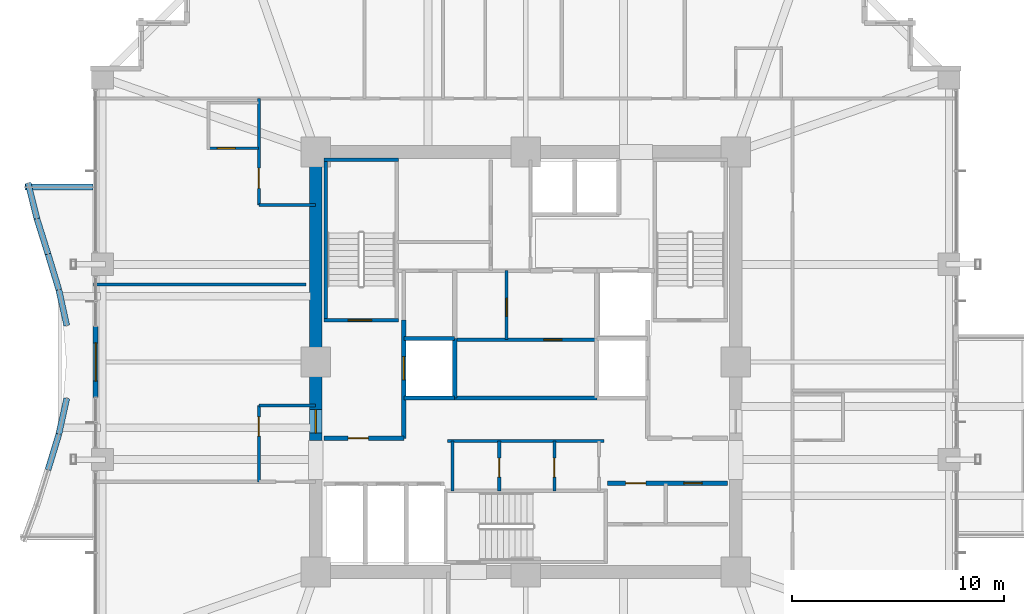
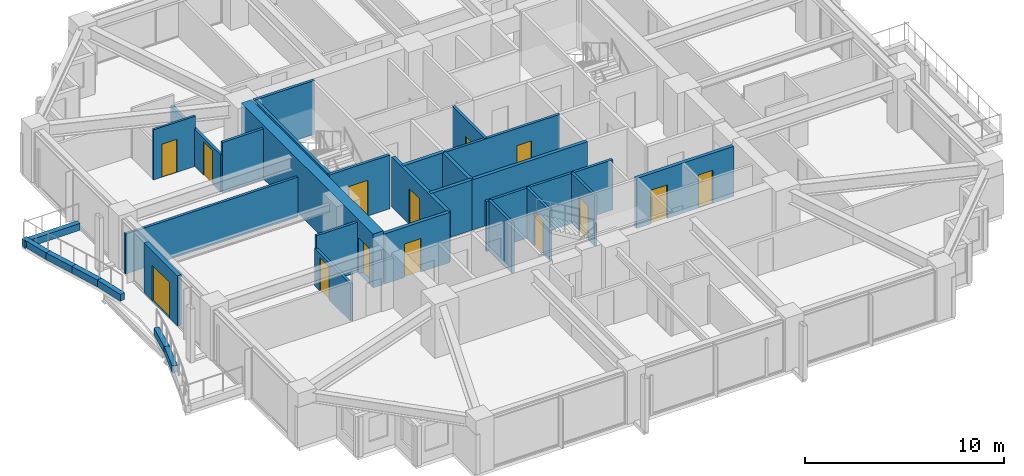
# One storey, part 32 of 37: 31 walls, 14 doors, 14 openings.
"""IFC4 building model written with IfcOpenShell, lengths in metres."""

from ifc_helpers import new_model, si_unit, direction, frame, frame_2d, origin, place, context, subcontext, project, spatial, rectangle, extrude, material, layer, layer_set, type_object, element, fill, save


model = new_model("IFC4")

# Units and contexts
model_context = context("Model", 3, precision=1e-05, world=origin(), true_north=direction((0.0, 1.0)))
body_context = subcontext(model_context, "Body", "Model", "MODEL_VIEW")
ifc_project = project(units=[si_unit("LENGTHUNIT", "METRE"), si_unit("AREAUNIT", "SQUARE_METRE"), si_unit("VOLUMEUNIT", "CUBIC_METRE"), si_unit("PLANEANGLEUNIT", "RADIAN"), si_unit("MASSUNIT", "GRAM", prefix="KILO")], contexts=[model_context])

# Site, building, storey
site_placement = place(None, origin())
site = spatial("IfcSite", under=ifc_project, at=site_placement, CompositionType="ELEMENT")
building_placement = place(site_placement, origin())
building = spatial("IfcBuilding", under=site, at=building_placement, Name="Kolvaren Belvedere", CompositionType="ELEMENT")
storey_placement = place(building_placement, frame((0.0, 0.0, 82.10009765625)))
storey = spatial("IfcBuildingStorey", under=building, at=storey_placement, Name="L23", CompositionType="ELEMENT", Elevation=82.10009765625)

# Wall, opening, door
ifc_material_1 = material(Name="Concrete C60/75", Category="concrete")
ifc_layer_1 = layer(ifc_material_1, 0.60009765625)
ifc_layer_set_1 = layer_set([ifc_layer_1], Name="Concrete C60/75")
wall_type_1 = type_object("IfcWallType", Name="CW-CORE-600", PredefinedType="SHEAR", material=ifc_layer_set_1)
wall_1_placement = place(storey_placement, frame((-9.89990234375, -3.699951171875, 0.0), z_axis=(0.0, 0.0, 1.0), x_axis=(0.0, 1.0, 0.0)))
wall_1 = element("IfcWall", 1, at=wall_1_placement, inside=storey, type_object=wall_type_1, Name="L23 West Core Shear Wall 2", PredefinedType="SHEAR", context=body_context, shape_type="SweptSolid", body=[
    extrude(rectangle(XDim=13.300048828125, YDim=0.60009765625, at=frame_2d((6.64990234375, 0.0))), origin(), (0.0, 0.0, 1.0), 3.2998046875),
])
opening_1_placement = place(wall_1_placement, frame((0.35009765625, 0.0, 0.0)))
opening_1 = element("IfcOpeningElement", 2, at=opening_1_placement, cuts=wall_1, Name="Opening D-FD90", PredefinedType="OPENING", context=body_context, shape_type="SweptSolid", body=[
    extrude(rectangle(XDim=1.10009765625, YDim=2.199951171875, at=frame_2d((0.550048828125, 1.10009765625))), frame((0.0, 0.31005859375, 0.0), z_axis=(0.0, -1.0, 0.0), x_axis=(1.0, 0.0, 0.0)), (0.0, 0.0, 1.0), 0.6201171875),
])
ifc_material_2 = material(Name="Painted hollow stainless steel", Category="steel")
door_type_1 = type_object("IfcDoorType", Name="DR-FD90-1100", OperationType="NOTDEFINED", PredefinedType="DOOR", material=ifc_material_2)
door_1_placement = place(opening_1_placement, origin())
door_1 = element("IfcDoor", 3, at=door_1_placement, inside=storey, type_object=door_type_1, Name="L23 West Firefighting Lobby Fire Door", OperationType="SINGLE_SWING_LEFT", OverallHeight=2.199951171875, OverallWidth=1.10009765625, PredefinedType="DOOR", context=body_context, shape_type="SweptSolid", body=[
    extrude(rectangle(XDim=1.10009765625, YDim=2.199951171875, at=frame_2d((0.550048828125, 1.10009765625))), frame((0.0, 0.02490234375, 0.0), z_axis=(0.0, -1.0, 0.0), x_axis=(1.0, 0.0, 0.0)), (0.0, 0.0, 1.0), 0.050048828125),
])
fill(opening_1, door_1)

ifc_material_3 = material(Name="Concrete C50/60", Category="concrete")
ifc_layer_2 = layer(ifc_material_3, 0.159912109375)
ifc_layer_set_2 = layer_set([ifc_layer_2], Name="Concrete C50/60")
wall_type_2 = type_object("IfcWallType", Name="CW-STAIR-160", PredefinedType="SHEAR", material=ifc_layer_set_2)
wall_2_placement = place(storey_placement, frame((-9.52001953125, 1.969970703125, 0.0), z_axis=(0.0, 0.0, 1.0), x_axis=(1.0, 0.0, 0.0)))
wall_2 = element("IfcWall", 4, at=wall_2_placement, inside=storey, type_object=wall_type_2, Name="L23 Stair ST-1 South Shear Wall", PredefinedType="SHEAR", context=body_context, shape_type="SweptSolid", body=[
    extrude(rectangle(XDim=3.52001953125, YDim=0.159912109375, at=frame_2d((1.760009765625, 0.0))), origin(), (0.0, 0.0, 1.0), 3.2998046875),
])
opening_2_placement = place(wall_2_placement, frame((1.14990234375, 0.0, 0.0)))
opening_2 = element("IfcOpeningElement", 5, at=opening_2_placement, cuts=wall_2, Name="Opening D-FD90", PredefinedType="OPENING", context=body_context, shape_type="SweptSolid", body=[
    extrude(rectangle(XDim=1.10009765625, YDim=2.199951171875, at=frame_2d((0.550048828125, 1.10009765625))), frame((0.0, 0.08984375, 0.0), z_axis=(0.0, -1.0, 0.0), x_axis=(1.0, 0.0, 0.0)), (0.0, 0.0, 1.0), 0.179931640625),
])
door_2_placement = place(opening_2_placement, origin())
door_2 = element("IfcDoor", 6, at=door_2_placement, inside=storey, type_object=door_type_1, Name="L23 Stair ST-1 Fire Door", OperationType="SINGLE_SWING_LEFT", OverallHeight=2.199951171875, OverallWidth=1.10009765625, PredefinedType="DOOR", context=body_context, shape_type="SweptSolid", body=[
    extrude(rectangle(XDim=1.10009765625, YDim=2.199951171875, at=frame_2d((0.550048828125, 1.10009765625))), frame((0.0, 0.02490234375, 0.0), z_axis=(0.0, -1.0, 0.0), x_axis=(1.0, 0.0, 0.0)), (0.0, 0.0, 1.0), 0.050048828125),
])
fill(opening_2, door_2)

# Walls
wall_3_placement = place(storey_placement, frame((-9.52001953125, 9.530029296875, 0.0), z_axis=(0.0, 0.0, 1.0), x_axis=(1.0, 0.0, 0.0)))
element("IfcWall", 7, at=wall_3_placement, inside=storey, type_object=wall_type_2, Name="L23 Stair ST-1 North Shear Wall", PredefinedType="SHEAR", context=body_context, shape_type="SweptSolid", body=[
    extrude(rectangle(XDim=3.52001953125, YDim=0.159912109375, at=frame_2d((1.760009765625, 0.0))), origin(), (0.0, 0.0, 1.0), 3.2998046875),
])
wall_4_placement = place(storey_placement, frame((-9.429931640625, 1.969970703125, 0.0), z_axis=(0.0, 0.0, 1.0), x_axis=(0.0, 1.0, 0.0)))
element("IfcWall", 8, at=wall_4_placement, inside=storey, type_object=wall_type_2, Name="L23 Stair ST-1 West Shear Wall", PredefinedType="SHEAR", context=body_context, shape_type="SweptSolid", body=[
    extrude(rectangle(XDim=7.56005859375, YDim=0.159912109375, at=frame_2d((3.780029296875, 0.0))), origin(), (0.0, 0.0, 1.0), 3.2998046875),
])

# Wall, opening, door
ifc_material_4 = material(Name="Gypsum fire-rated partition assembly", Category="gypsum")
ifc_layer_3 = layer(ifc_material_4, 0.14990234375)
ifc_layer_set_3 = layer_set([ifc_layer_3], Name="Gypsum fire-rated partition assembly")
wall_type_3 = type_object("IfcWallType", Name="WL-CORR-150", PredefinedType="PARTITIONING", material=ifc_layer_set_3)
wall_5_placement = place(storey_placement, frame((-12.580078125, 7.39990234375, 0.0), z_axis=(0.0, 0.0, 1.0), x_axis=(0.0, 1.0, 0.0)))
wall_5 = element("IfcWall", 9, at=wall_5_placement, inside=storey, type_object=wall_type_3, Name="L23 NW Corridor End Wall", PredefinedType="PARTITIONING", context=body_context, shape_type="SweptSolid", body=[
    extrude(rectangle(XDim=5.02001953125, YDim=0.14990234375, at=frame_2d((2.510009765625, 0.0))), origin(), (0.0, 0.0, 1.0), 2.2919921875),
])
opening_3_placement = place(wall_5_placement, frame((0.7861328125, 0.0, 0.0)))
opening_3 = element("IfcOpeningElement", 10, at=opening_3_placement, cuts=wall_5, Name="Opening D-FD60", PredefinedType="OPENING", context=body_context, shape_type="SweptSolid", body=[
    extrude(rectangle(XDim=0.949951171875, YDim=2.06005859375, at=frame_2d((0.47509765625, 1.030029296875))), frame((0.0, 0.0849609375, 0.0), z_axis=(0.0, -1.0, 0.0), x_axis=(1.0, 0.0, 0.0)), (0.0, 0.0, 1.0), 0.169921875),
])
ifc_material_5 = material(Name="Acoustic white-oak fire door leaf", Category="timber")
door_type_2 = type_object("IfcDoorType", Name="DR-FD60-950", OperationType="NOTDEFINED", PredefinedType="DOOR", material=ifc_material_5)
door_3_placement = place(opening_3_placement, origin())
door_3 = element("IfcDoor", 11, at=door_3_placement, inside=storey, type_object=door_type_2, Name="L23 Twin Guest Room 2307 Entry Door", OperationType="SINGLE_SWING_RIGHT", OverallHeight=2.06005859375, OverallWidth=0.949951171875, PredefinedType="DOOR", context=body_context, shape_type="SweptSolid", body=[
    extrude(rectangle(XDim=0.949951171875, YDim=2.06005859375, at=frame_2d((0.47509765625, 1.030029296875))), frame((0.0, 0.02490234375, 0.0), z_axis=(0.0, -1.0, 0.0), x_axis=(1.0, 0.0, 0.0)), (0.0, 0.0, 1.0), 0.050048828125),
])
fill(opening_3, door_3)

# Wall
wall_6_placement = place(storey_placement, frame((-12.580078125, 7.39990234375, 0.0), z_axis=(0.0, 0.0, 1.0), x_axis=(1.0, 0.0, 0.0)))
element("IfcWall", 12, at=wall_6_placement, inside=storey, type_object=wall_type_3, Name="L23 NW Core Closure Wall", PredefinedType="PARTITIONING", context=body_context, shape_type="SweptSolid", body=[
    extrude(rectangle(XDim=2.68017578125, YDim=0.14990234375, at=frame_2d((1.340087890625, 0.0))), origin(), (0.0, 0.0, 1.0), 3.079833984375),
])

# Wall, opening, door
wall_7_placement = place(storey_placement, frame((-12.580078125, -5.64990234375, 0.0), z_axis=(0.0, 0.0, 1.0), x_axis=(0.0, 1.0, 0.0)))
wall_7 = element("IfcWall", 13, at=wall_7_placement, inside=storey, type_object=wall_type_3, Name="L23 West FSAE Pocket Wall", PredefinedType="PARTITIONING", context=body_context, shape_type="SweptSolid", body=[
    extrude(rectangle(XDim=3.599853515625, YDim=0.14990234375, at=frame_2d((1.7998046875, 0.0))), origin(), (0.0, 0.0, 1.0), 2.2919921875),
])
opening_4_placement = place(wall_7_placement, frame((2.15625, 0.0, 0.0)))
opening_4 = element("IfcOpeningElement", 14, at=opening_4_placement, cuts=wall_7, Name="Opening D-INT90", PredefinedType="OPENING", context=body_context, shape_type="SweptSolid", body=[
    extrude(rectangle(XDim=0.89990234375, YDim=2.06005859375, at=frame_2d((0.449951171875, 1.030029296875))), frame((0.0, 0.0849609375, 0.0), z_axis=(0.0, -1.0, 0.0), x_axis=(1.0, 0.0, 0.0)), (0.0, 0.0, 1.0), 0.169921875),
])
ifc_material_6 = material(Name="Stained Pacific white oak", Category="timber")
door_type_3 = type_object("IfcDoorType", Name="DR-INT-900", OperationType="NOTDEFINED", PredefinedType="DOOR", material=ifc_material_6)
door_4_placement = place(opening_4_placement, origin())
door_4 = element("IfcDoor", 15, at=door_4_placement, inside=storey, type_object=door_type_3, Name="L23 Lounge 2308 Door", OperationType="SINGLE_SWING_LEFT", OverallHeight=2.06005859375, OverallWidth=0.89990234375, PredefinedType="DOOR", context=body_context, shape_type="SweptSolid", body=[
    extrude(rectangle(XDim=0.89990234375, YDim=2.06005859375, at=frame_2d((0.449951171875, 1.030029296875))), frame((0.0, 0.02490234375, 0.0), z_axis=(0.0, -1.0, 0.0), x_axis=(1.0, 0.0, 0.0)), (0.0, 0.0, 1.0), 0.050048828125),
])
fill(opening_4, door_4)

# Wall
wall_8_placement = place(storey_placement, frame((-12.580078125, -2.050048828125, 0.0), z_axis=(0.0, 0.0, 1.0), x_axis=(1.0, 0.0, 0.0)))
element("IfcWall", 16, at=wall_8_placement, inside=storey, type_object=wall_type_3, Name="L23 West Pocket North Closure Wall", PredefinedType="PARTITIONING", context=body_context, shape_type="SweptSolid", body=[
    extrude(rectangle(XDim=2.68017578125, YDim=0.14990234375, at=frame_2d((1.340087890625, 0.0))), origin(), (0.0, 0.0, 1.0), 3.079833984375),
])

# Wall, opening, door
ifc_material_7 = material(Name="Insulated pale-metal facade wall assembly", Category="aluminium")
ifc_layer_4 = layer(ifc_material_7, 0.239990234375)
ifc_layer_set_4 = layer_set([ifc_layer_4], Name="Insulated pale-metal facade wall assembly")
wall_type_4 = type_object("IfcWallType", Name="WL-EXT-240", PredefinedType="STANDARD", material=ifc_layer_set_4)
wall_9_placement = place(storey_placement, frame((-20.280029296875, -1.679931640625, 0.0), z_axis=(0.0, 0.0, 1.0), x_axis=(0.0, 1.0, 0.0)))
wall_9 = element("IfcWall", 17, at=wall_9_placement, inside=storey, type_object=wall_type_4, Name="L23 West Terrace Portal Wall", PredefinedType="STANDARD", context=body_context, shape_type="SweptSolid", body=[
    extrude(rectangle(XDim=3.35986328125, YDim=0.239990234375, at=frame_2d((1.679931640625, 0.0))), origin(), (0.0, 0.0, 1.0), 3.079833984375),
])
opening_5_placement = place(wall_9_placement, frame((0.780029296875, 0.0, 0.0)))
opening_5 = element("IfcOpeningElement", 18, at=opening_5_placement, cuts=wall_9, Name="Opening DB-1800", PredefinedType="OPENING", context=body_context, shape_type="SweptSolid", body=[
    extrude(rectangle(XDim=1.800048828125, YDim=2.199951171875, at=frame_2d((0.89990234375, 1.10009765625))), frame((0.0, 0.1298828125, 0.0), z_axis=(0.0, -1.0, 0.0), x_axis=(1.0, 0.0, 0.0)), (0.0, 0.0, 1.0), 0.260009765625),
])
ifc_material_8 = material(Name="Thermally broken pale-metal aluminium & low-iron glass", Category="aluminium")
door_type_4 = type_object("IfcDoorType", Name="DR-BAL-1800", OperationType="DOUBLE_DOOR_SLIDING", PredefinedType="DOOR", material=ifc_material_8)
door_5_placement = place(opening_5_placement, origin())
door_5 = element("IfcDoor", 19, at=door_5_placement, inside=storey, type_object=door_type_4, Name="L23 West Planted Terrace Sliding Door", OperationType="DOUBLE_DOOR_SLIDING", OverallHeight=2.199951171875, OverallWidth=1.800048828125, PredefinedType="DOOR", context=body_context, shape_type="SweptSolid", body=[
    extrude(rectangle(XDim=1.800048828125, YDim=2.199951171875, at=frame_2d((0.89990234375, 1.10009765625))), frame((0.0, 0.02490234375, 0.0), z_axis=(0.0, -1.0, 0.0), x_axis=(1.0, 0.0, 0.0)), (0.0, 0.0, 1.0), 0.050048828125),
])
fill(opening_5, door_5)

ifc_material_9 = material(Name="Gypsum acoustic partition assembly", Category="gypsum")
ifc_layer_5 = layer(ifc_material_9, 0.14990234375)
ifc_layer_set_5 = layer_set([ifc_layer_5], Name="Gypsum acoustic partition assembly")
wall_type_5 = type_object("IfcWallType", Name="WL-PART-150", PredefinedType="PARTITIONING", material=ifc_layer_set_5)
wall_10_placement = place(storey_placement, frame((-3.35009765625, 1.050048828125, 0.0), z_axis=(0.0, 0.0, 1.0), x_axis=(1.0, 0.0, 0.0)))
wall_10 = element("IfcWall", 20, at=wall_10_placement, inside=storey, type_object=wall_type_5, Name="L23 Central Core H-Divider", PredefinedType="PARTITIONING", context=body_context, shape_type="SweptSolid", body=[
    extrude(rectangle(XDim=6.7001953125, YDim=0.14990234375, at=frame_2d((3.35009765625, 0.0))), origin(), (0.0, 0.0, 1.0), 3.079833984375),
])
opening_6_placement = place(wall_10_placement, frame((4.199951171875, 0.0, 0.0)))
opening_6 = element("IfcOpeningElement", 21, at=opening_6_placement, cuts=wall_10, Name="Opening D-INT85", PredefinedType="OPENING", context=body_context, shape_type="SweptSolid", body=[
    extrude(rectangle(XDim=0.85009765625, YDim=2.030029296875, at=frame_2d((0.425048828125, 1.01513671875))), frame((0.0, 0.0849609375, 0.0), z_axis=(0.0, -1.0, 0.0), x_axis=(1.0, 0.0, 0.0)), (0.0, 0.0, 1.0), 0.169921875),
])
ifc_material_10 = material(Name="Stained Pacific white oak", Category="timber")
door_type_5 = type_object("IfcDoorType", Name="DR-INT-850", OperationType="NOTDEFINED", PredefinedType="DOOR", material=ifc_material_10)
door_6_placement = place(opening_6_placement, origin())
door_6 = element("IfcDoor", 22, at=door_6_placement, inside=storey, type_object=door_type_5, Name="L23 Central Metering Door", OperationType="SINGLE_SWING_LEFT", OverallHeight=2.030029296875, OverallWidth=0.85009765625, PredefinedType="DOOR", context=body_context, shape_type="SweptSolid", body=[
    extrude(rectangle(XDim=0.85009765625, YDim=2.030029296875, at=frame_2d((0.425048828125, 1.01513671875))), frame((0.0, 0.02490234375, 0.0), z_axis=(0.0, -1.0, 0.0), x_axis=(1.0, 0.0, 0.0)), (0.0, 0.0, 1.0), 0.050048828125),
])
fill(opening_6, door_6)

wall_11_placement = place(storey_placement, frame((-0.89990234375, 1.050048828125, 0.0), z_axis=(0.0, 0.0, 1.0), x_axis=(0.0, 1.0, 0.0)))
wall_11 = element("IfcWall", 23, at=wall_11_placement, inside=storey, type_object=wall_type_5, Name="L23 Central Core V-Divider", PredefinedType="PARTITIONING", context=body_context, shape_type="SweptSolid", body=[
    extrude(rectangle(XDim=3.25, YDim=0.14990234375, at=frame_2d((1.625, 0.0))), origin(), (0.0, 0.0, 1.0), 3.079833984375),
])
opening_7_placement = place(wall_11_placement, frame((1.10009765625, 0.0, 0.0)))
opening_7 = element("IfcOpeningElement", 24, at=opening_7_placement, cuts=wall_11, Name="Opening D-INT85", PredefinedType="OPENING", context=body_context, shape_type="SweptSolid", body=[
    extrude(rectangle(XDim=0.85009765625, YDim=2.030029296875, at=frame_2d((0.425048828125, 1.01513671875))), frame((0.0, 0.0849609375, 0.0), z_axis=(0.0, -1.0, 0.0), x_axis=(1.0, 0.0, 0.0)), (0.0, 0.0, 1.0), 0.169921875),
])
door_7_placement = place(opening_7_placement, origin())
door_7 = element("IfcDoor", 25, at=door_7_placement, inside=storey, type_object=door_type_5, Name="L23 Central Telecom Door", OperationType="SINGLE_SWING_RIGHT", OverallHeight=2.030029296875, OverallWidth=0.85009765625, PredefinedType="DOOR", context=body_context, shape_type="SweptSolid", body=[
    extrude(rectangle(XDim=0.85009765625, YDim=2.030029296875, at=frame_2d((0.425048828125, 1.01513671875))), frame((0.0, 0.02490234375, 0.0), z_axis=(0.0, -1.0, 0.0), x_axis=(1.0, 0.0, 0.0)), (0.0, 0.0, 1.0), 0.050048828125),
])
fill(opening_7, door_7)

# Walls
wall_12_placement = place(storey_placement, frame((-3.679931640625, -3.719970703125, 0.0), z_axis=(0.0, 0.0, 1.0), x_axis=(1.0, 0.0, 0.0)))
element("IfcWall", 26, at=wall_12_placement, inside=storey, type_object=wall_type_5, Name="L23 South Core Service North Wall", PredefinedType="PARTITIONING", context=body_context, shape_type="SweptSolid", body=[
    extrude(rectangle(XDim=7.35986328125, YDim=0.14990234375, at=frame_2d((3.679931640625, 0.0))), origin(), (0.0, 0.0, 1.0), 3.079833984375),
])
wall_13_placement = place(storey_placement, frame((-3.449951171875, -6.080078125, 0.0), z_axis=(0.0, 0.0, 1.0), x_axis=(0.0, 1.0, 0.0)))
element("IfcWall", 27, at=wall_13_placement, inside=storey, type_object=wall_type_5, Name="L23 South Core Service West Wall", PredefinedType="PARTITIONING", context=body_context, shape_type="SweptSolid", body=[
    extrude(rectangle(XDim=2.360107421875, YDim=0.14990234375, at=frame_2d((1.18017578125, 0.0))), origin(), (0.0, 0.0, 1.0), 3.079833984375),
])

# Wall, opening, door
wall_14_placement = place(storey_placement, frame((1.35009765625, -6.080078125, 0.0), z_axis=(0.0, 0.0, 1.0), x_axis=(0.0, 1.0, 0.0)))
wall_14 = element("IfcWall", 28, at=wall_14_placement, inside=storey, type_object=wall_type_5, Name="L23 Core Service Divider 1", PredefinedType="PARTITIONING", context=body_context, shape_type="SweptSolid", body=[
    extrude(rectangle(XDim=2.360107421875, YDim=0.14990234375, at=frame_2d((1.18017578125, 0.0))), origin(), (0.0, 0.0, 1.0), 3.079833984375),
])
opening_8_placement = place(wall_14_placement, frame((0.64990234375, 0.0, 0.0)))
opening_8 = element("IfcOpeningElement", 29, at=opening_8_placement, cuts=wall_14, Name="Opening D-INT90", PredefinedType="OPENING", context=body_context, shape_type="SweptSolid", body=[
    extrude(rectangle(XDim=0.89990234375, YDim=2.06005859375, at=frame_2d((0.449951171875, 1.030029296875))), frame((0.0, 0.0849609375, 0.0), z_axis=(0.0, -1.0, 0.0), x_axis=(1.0, 0.0, 0.0)), (0.0, 0.0, 1.0), 0.169921875),
])
door_8_placement = place(opening_8_placement, origin())
door_8 = element("IfcDoor", 30, at=door_8_placement, inside=storey, type_object=door_type_3, Name="L23 Data Closet Door", OperationType="SINGLE_SWING_RIGHT", OverallHeight=2.06005859375, OverallWidth=0.89990234375, PredefinedType="DOOR", context=body_context, shape_type="SweptSolid", body=[
    extrude(rectangle(XDim=0.89990234375, YDim=2.06005859375, at=frame_2d((0.449951171875, 1.030029296875))), frame((0.0, 0.02490234375, 0.0), z_axis=(0.0, -1.0, 0.0), x_axis=(1.0, 0.0, 0.0)), (0.0, 0.0, 1.0), 0.050048828125),
])
fill(opening_8, door_8)

wall_15_placement = place(storey_placement, frame((-1.25, -6.080078125, 0.0), z_axis=(0.0, 0.0, 1.0), x_axis=(0.0, 1.0, 0.0)))
wall_15 = element("IfcWall", 31, at=wall_15_placement, inside=storey, type_object=wall_type_5, Name="L23 Core Service Divider 2", PredefinedType="PARTITIONING", context=body_context, shape_type="SweptSolid", body=[
    extrude(rectangle(XDim=2.360107421875, YDim=0.14990234375, at=frame_2d((1.18017578125, 0.0))), origin(), (0.0, 0.0, 1.0), 3.079833984375),
])
opening_9_placement = place(wall_15_placement, frame((0.64990234375, 0.0, 0.0)))
opening_9 = element("IfcOpeningElement", 32, at=opening_9_placement, cuts=wall_15, Name="Opening D-INT90", PredefinedType="OPENING", context=body_context, shape_type="SweptSolid", body=[
    extrude(rectangle(XDim=0.89990234375, YDim=2.06005859375, at=frame_2d((0.449951171875, 1.030029296875))), frame((0.0, 0.0849609375, 0.0), z_axis=(0.0, -1.0, 0.0), x_axis=(1.0, 0.0, 0.0)), (0.0, 0.0, 1.0), 0.169921875),
])
door_9_placement = place(opening_9_placement, origin())
door_9 = element("IfcDoor", 33, at=door_9_placement, inside=storey, type_object=door_type_3, Name="L23 Janitor Room Door", OperationType="SINGLE_SWING_LEFT", OverallHeight=2.06005859375, OverallWidth=0.89990234375, PredefinedType="DOOR", context=body_context, shape_type="SweptSolid", body=[
    extrude(rectangle(XDim=0.89990234375, YDim=2.06005859375, at=frame_2d((0.449951171875, 1.030029296875))), frame((0.0, 0.02490234375, 0.0), z_axis=(0.0, -1.0, 0.0), x_axis=(1.0, 0.0, 0.0)), (0.0, 0.0, 1.0), 0.050048828125),
])
fill(opening_9, door_9)

# Walls
wall_16_placement = place(storey_placement, frame((-20.3798828125, 3.64990234375, 0.0), z_axis=(0.0, 0.0, 1.0), x_axis=(1.0, 0.0, 0.0)))
element("IfcWall", 34, at=wall_16_placement, inside=storey, type_object=wall_type_5, Name="L23 West Upper Suite Divider", PredefinedType="PARTITIONING", context=body_context, shape_type="SweptSolid", body=[
    extrude(rectangle(XDim=10.019775390625, YDim=0.14990234375, at=frame_2d((5.009765625, 0.0))), origin(), (0.0, 0.0, 1.0), 2.448974609375),
])
ifc_material_11 = material(Name="Precast concrete C40/50", Category="concrete")
ifc_layer_6 = layer(ifc_material_11, 0.300048828125)
ifc_layer_set_6 = layer_set([ifc_layer_6], Name="Precast concrete C40/50")
wall_type_6 = type_object("IfcWallType", Name="WL-PLANTER-300", PredefinedType="PARAPET", material=ifc_layer_set_6)
wall_17_placement = place(storey_placement, frame((-23.458251953125, 8.438232421875, -0.0400390625), z_axis=(0.0, 0.0, 1.0), x_axis=(0.239180748277, -0.970975061293, 0.0)))
element("IfcWall", 35, at=wall_17_placement, inside=storey, type_object=wall_type_6, Name="L23 Precast Structural Planter Wall BAL-W-1", PredefinedType="PARAPET", context=body_context, shape_type="SweptSolid", body=[
    extrude(rectangle(XDim=1.730224609375, YDim=0.280029296875, at=frame_2d((0.865234375, 0.0))), origin(), (0.0, 0.0, 1.0), 0.419921875),
])
wall_18_placement = place(storey_placement, frame((-23.047119140625, 6.767822265625, -0.0400390625), z_axis=(0.0, 0.0, 1.0), x_axis=(0.299624691176, -0.954057149461, 0.0)))
element("IfcWall", 36, at=wall_18_placement, inside=storey, type_object=wall_type_6, Name="L23 Precast Structural Planter Wall BAL-W-2", PredefinedType="PARAPET", context=body_context, shape_type="SweptSolid", body=[
    extrude(rectangle(XDim=1.7607421875, YDim=0.280029296875, at=frame_2d((0.88037109375, 0.0))), origin(), (0.0, 0.0, 1.0), 0.419921875),
])
wall_19_placement = place(storey_placement, frame((-22.51904296875, 5.086669921875, -0.0400390625), z_axis=(0.0, 0.0, 1.0), x_axis=(0.290840734999, -0.956771481005, 0.0)))
element("IfcWall", 37, at=wall_19_placement, inside=storey, type_object=wall_type_6, Name="L23 Precast Structural Planter Wall BAL-W-3", PredefinedType="PARAPET", context=body_context, shape_type="SweptSolid", body=[
    extrude(rectangle(XDim=1.756103515625, YDim=0.280029296875, at=frame_2d((0.8779296875, 0.0))), origin(), (0.0, 0.0, 1.0), 0.419921875),
])
for number, where, z_axis, x_axis, name in (
    (38, (-22.0048828125, 3.394287109375, -0.0400390625), (0.0, 0.0, 1.0), (0.213773077423, -0.976883345835, 0.0), "L23 Precast Structural Planter Wall BAL-W-4"),
    (39, (-21.63720703125, -1.714111328125, -0.0400390625), (0.0, 0.0, 1.0), (-0.213773077423, -0.976883345835, 0.0), "L23 Precast Structural Planter Wall BAL-W-7"),
):
    element("IfcWall", number, at=place(storey_placement, frame(where, z_axis=z_axis, x_axis=x_axis)), inside=storey, type_object=wall_type_6, Name=name, PredefinedType="PARAPET", context=body_context, shape_type="SweptSolid", body=[
        extrude(rectangle(XDim=1.719970703125, YDim=0.280029296875, at=frame_2d((0.85986328125, 0.0))), origin(), (0.0, 0.0, 1.0), 0.419921875),
    ])
wall_20_placement = place(storey_placement, frame((-22.00830078125, -3.406494140625, -0.0400390625), z_axis=(0.0, 0.0, 1.0), x_axis=(-0.290840734999, -0.956771481005, 0.0)))
element("IfcWall", 40, at=wall_20_placement, inside=storey, type_object=wall_type_6, Name="L23 Precast Structural Planter Wall BAL-W-8", PredefinedType="PARAPET", context=body_context, shape_type="SweptSolid", body=[
    extrude(rectangle(XDim=1.756103515625, YDim=0.280029296875, at=frame_2d((0.8779296875, 0.0))), origin(), (0.0, 0.0, 1.0), 0.419921875),
])
wall_21_placement = place(storey_placement, frame((-20.39990234375, 8.239990234375, -0.0400390625), z_axis=(0.0, 0.0, 1.0), x_axis=(-1.0, 0.0, 0.0)))
element("IfcWall", 41, at=wall_21_placement, inside=storey, type_object=wall_type_6, Name="L23 Precast Structural Planter Wall BAL-W-22", PredefinedType="PARAPET", context=body_context, shape_type="SweptSolid", body=[
    extrude(rectangle(XDim=3.2138671875, YDim=0.280029296875, at=frame_2d((1.60693359375, 0.0))), origin(), (0.0, 0.0, 1.0), 0.419921875),
])

# Wall, opening, door
ifc_material_12 = material(Name="Concrete C50/60", Category="concrete")
ifc_layer_7 = layer(ifc_material_12, 0.199951171875)
ifc_layer_set_7 = layer_set([ifc_layer_7], Name="Concrete C50/60")
wall_type_7 = type_object("IfcWallType", Name="WL-SHAFT-200", PredefinedType="SOLIDWALL", material=ifc_layer_set_7)
wall_22_placement = place(storey_placement, frame((-9.52001953125, -3.60009765625, 0.0), z_axis=(0.0, 0.0, 1.0), x_axis=(1.0, 0.0, 0.0)))
wall_22 = element("IfcWall", 42, at=wall_22_placement, inside=storey, type_object=wall_type_7, Name="L23 West FSAE Lobby South Wall", PredefinedType="SOLIDWALL", context=body_context, shape_type="SweptSolid", body=[
    extrude(rectangle(XDim=3.77001953125, YDim=0.199951171875, at=frame_2d((1.885009765625, 0.0))), origin(), (0.0, 0.0, 1.0), 3.079833984375),
])
opening_10_placement = place(wall_22_placement, frame((1.14990234375, 0.0, 0.0)))
opening_10 = element("IfcOpeningElement", 43, at=opening_10_placement, cuts=wall_22, Name="Opening D-FD60", PredefinedType="OPENING", context=body_context, shape_type="SweptSolid", body=[
    extrude(rectangle(XDim=0.949951171875, YDim=2.06005859375, at=frame_2d((0.47509765625, 1.030029296875))), frame((0.0, 0.10986328125, 0.0), z_axis=(0.0, -1.0, 0.0), x_axis=(1.0, 0.0, 0.0)), (0.0, 0.0, 1.0), 0.219970703125),
])
door_10_placement = place(opening_10_placement, origin())
door_10 = element("IfcDoor", 44, at=door_10_placement, inside=storey, type_object=door_type_2, Name="L23 Mid-Rise Lift Lobby Fire Door", OperationType="SINGLE_SWING_LEFT", OverallHeight=2.06005859375, OverallWidth=0.949951171875, PredefinedType="DOOR", context=body_context, shape_type="SweptSolid", body=[
    extrude(rectangle(XDim=0.949951171875, YDim=2.06005859375, at=frame_2d((0.47509765625, 1.030029296875))), frame((0.0, 0.02490234375, 0.0), z_axis=(0.0, -1.0, 0.0), x_axis=(1.0, 0.0, 0.0)), (0.0, 0.0, 1.0), 0.050048828125),
])
fill(opening_10, door_10)

wall_23_placement = place(storey_placement, frame((-5.75, -3.60009765625, 0.0), z_axis=(0.0, 0.0, 1.0), x_axis=(0.0, 1.0, 0.0)))
wall_23 = element("IfcWall", 45, at=wall_23_placement, inside=storey, type_object=wall_type_7, Name="L23 FSAE FS1 Landing Wall", PredefinedType="SOLIDWALL", context=body_context, shape_type="SweptSolid", body=[
    extrude(rectangle(XDim=5.570068359375, YDim=0.199951171875, at=frame_2d((2.78515625, 0.0))), origin(), (0.0, 0.0, 1.0), 3.079833984375),
])
opening_11_placement = place(wall_23_placement, frame((2.75, 0.0, 0.0)))
opening_11 = element("IfcOpeningElement", 46, at=opening_11_placement, cuts=wall_23, Name="Opening LD-11", PredefinedType="OPENING", context=body_context, shape_type="SweptSolid", body=[
    extrude(rectangle(XDim=1.10009765625, YDim=2.199951171875, at=frame_2d((0.550048828125, 1.10009765625))), frame((0.0, 0.10986328125, 0.0), z_axis=(0.0, -1.0, 0.0), x_axis=(1.0, 0.0, 0.0)), (0.0, 0.0, 1.0), 0.219970703125),
])
ifc_material_13 = material(Name="Brushed stainless steel", Category="steel")
door_type_6 = type_object("IfcDoorType", Name="DR-LIFT-1100", OperationType="DOUBLE_DOOR_SLIDING", PredefinedType="DOOR", material=ifc_material_13)
door_11_placement = place(opening_11_placement, origin())
door_11 = element("IfcDoor", 47, at=door_11_placement, inside=storey, type_object=door_type_6, Name="L23 Firefighting Lift FS1 Landing Door", OperationType="DOUBLE_DOOR_SLIDING", OverallHeight=2.199951171875, OverallWidth=1.10009765625, PredefinedType="DOOR", context=body_context, shape_type="SweptSolid", body=[
    extrude(rectangle(XDim=1.10009765625, YDim=2.199951171875, at=frame_2d((0.550048828125, 1.10009765625))), frame((0.0, 0.02490234375, 0.0), z_axis=(0.0, -1.0, 0.0), x_axis=(1.0, 0.0, 0.0)), (0.0, 0.0, 1.0), 0.050048828125),
])
fill(opening_11, door_11)

# Walls
wall_24_placement = place(storey_placement, frame((-3.35009765625, -1.699951171875, 0.0), z_axis=(0.0, 0.0, 1.0), x_axis=(0.0, 1.0, 0.0)))
element("IfcWall", 48, at=wall_24_placement, inside=storey, type_object=wall_type_7, Name="L23 FSAE FS1 Back Wall", PredefinedType="SOLIDWALL", context=body_context, shape_type="SweptSolid", body=[
    extrude(rectangle(XDim=2.800048828125, YDim=0.199951171875, at=frame_2d((1.39990234375, 0.0))), origin(), (0.0, 0.0, 1.0), 3.079833984375),
])
for number, where, z_axis, x_axis, name in (
    (49, (-5.75, -1.699951171875, 0.0), (0.0, 0.0, 1.0), (1.0, 0.0, 0.0), "L23 FSAE FS1 South Wall"),
    (50, (-5.75, 1.10009765625, 0.0), (0.0, 0.0, 1.0), (1.0, 0.0, 0.0), "L23 FSAE FS1 North Wall"),
):
    element("IfcWall", number, at=place(storey_placement, frame(where, z_axis=z_axis, x_axis=x_axis)), inside=storey, type_object=wall_type_7, Name=name, PredefinedType="SOLIDWALL", context=body_context, shape_type="SweptSolid", body=[
        extrude(rectangle(XDim=2.39990234375, YDim=0.199951171875, at=frame_2d((1.199951171875, 0.0))), origin(), (0.0, 0.0, 1.0), 3.079833984375),
    ])

# Wall, openings, doors
wall_25_placement = place(storey_placement, frame((3.860107421875, -5.719970703125, 0.0), z_axis=(0.0, 0.0, 1.0), x_axis=(1.0, 0.0, 0.0)))
wall_25 = element("IfcWall", 51, at=wall_25_placement, inside=storey, type_object=wall_type_7, Name="L23 SE Core Distribution Wall", PredefinedType="SOLIDWALL", context=body_context, shape_type="SweptSolid", body=[
    extrude(rectangle(XDim=5.659912109375, YDim=0.199951171875, at=frame_2d((2.830078125, 0.0))), origin(), (0.0, 0.0, 1.0), 3.079833984375),
])
opening_12_placement = place(wall_25_placement, frame((0.85009765625, 0.0, 0.0)))
opening_12 = element("IfcOpeningElement", 52, at=opening_12_placement, cuts=wall_25, Name="Opening D-FD60", PredefinedType="OPENING", context=body_context, shape_type="SweptSolid", body=[
    extrude(rectangle(XDim=0.949951171875, YDim=2.06005859375, at=frame_2d((0.47509765625, 1.030029296875))), frame((0.0, 0.10986328125, 0.0), z_axis=(0.0, -1.0, 0.0), x_axis=(1.0, 0.0, 0.0)), (0.0, 0.0, 1.0), 0.219970703125),
])
opening_13_placement = place(wall_25_placement, frame((3.60009765625, 0.0, 0.0)))
opening_13 = element("IfcOpeningElement", 53, at=opening_13_placement, cuts=wall_25, Name="Opening D-INT85", PredefinedType="OPENING", context=body_context, shape_type="SweptSolid", body=[
    extrude(rectangle(XDim=0.85009765625, YDim=2.030029296875, at=frame_2d((0.425048828125, 1.01513671875))), frame((0.0, 0.10986328125, 0.0), z_axis=(0.0, -1.0, 0.0), x_axis=(1.0, 0.0, 0.0)), (0.0, 0.0, 1.0), 0.219970703125),
])
door_12_placement = place(opening_12_placement, origin())
door_12 = element("IfcDoor", 54, at=door_12_placement, inside=storey, type_object=door_type_2, Name="L23 SE Pantry Door", OperationType="SINGLE_SWING_RIGHT", OverallHeight=2.06005859375, OverallWidth=0.949951171875, PredefinedType="DOOR", context=body_context, shape_type="SweptSolid", body=[
    extrude(rectangle(XDim=0.949951171875, YDim=2.06005859375, at=frame_2d((0.47509765625, 1.030029296875))), frame((0.0, 0.02490234375, 0.0), z_axis=(0.0, -1.0, 0.0), x_axis=(1.0, 0.0, 0.0)), (0.0, 0.0, 1.0), 0.050048828125),
])
fill(opening_12, door_12)
door_13_placement = place(opening_13_placement, origin())
door_13 = element("IfcDoor", 55, at=door_13_placement, inside=storey, type_object=door_type_5, Name="L23 SE Linen Door", OperationType="SINGLE_SWING_LEFT", OverallHeight=2.030029296875, OverallWidth=0.85009765625, PredefinedType="DOOR", context=body_context, shape_type="SweptSolid", body=[
    extrude(rectangle(XDim=0.85009765625, YDim=2.030029296875, at=frame_2d((0.425048828125, 1.01513671875))), frame((0.0, 0.02490234375, 0.0), z_axis=(0.0, -1.0, 0.0), x_axis=(1.0, 0.0, 0.0)), (0.0, 0.0, 1.0), 0.050048828125),
])
fill(opening_13, door_13)

# Wall
wall_26_placement = place(storey_placement, frame((-3.35009765625, -1.699951171875, 0.0), z_axis=(0.0, 0.0, 1.0), x_axis=(1.0, 0.0, 0.0)))
element("IfcWall", 56, at=wall_26_placement, inside=storey, type_object=wall_type_7, Name="L23 Central Core Room South Wall", PredefinedType="SOLIDWALL", context=body_context, shape_type="SweptSolid", body=[
    extrude(rectangle(XDim=6.7001953125, YDim=0.199951171875, at=frame_2d((3.35009765625, 0.0))), origin(), (0.0, 0.0, 1.0), 3.079833984375),
])

# Wall, opening, door
ifc_material_14 = material(Name="Moisture-resistant gypsum partition", Category="gypsum")
ifc_layer_8 = layer(ifc_material_14, 0.125)
ifc_layer_set_8 = layer_set([ifc_layer_8], Name="Moisture-resistant gypsum partition")
wall_type_8 = type_object("IfcWallType", Name="WL-WET-125", PredefinedType="PARTITIONING", material=ifc_layer_set_8)
wall_27_placement = place(storey_placement, frame((-15.034912109375, 10.074951171875, 0.0), z_axis=(0.0, 0.0, 1.0), x_axis=(1.0, 0.0, 0.0)))
wall_27 = element("IfcWall", 57, at=wall_27_placement, inside=storey, type_object=wall_type_8, Name="L23 Bathroom Partition PW-L23-BTH-7-N", PredefinedType="PARTITIONING", context=body_context, shape_type="SweptSolid", body=[
    extrude(rectangle(XDim=2.43994140625, YDim=0.125, at=frame_2d((1.219970703125, 0.0))), origin(), (0.0, 0.0, 1.0), 3.079833984375),
])
opening_14_placement = place(wall_27_placement, frame((0.5, 0.0, 0.0)))
opening_14 = element("IfcOpeningElement", 58, at=opening_14_placement, cuts=wall_27, Name="Opening D-BTH85", PredefinedType="OPENING", context=body_context, shape_type="SweptSolid", body=[
    extrude(rectangle(XDim=0.85009765625, YDim=2.030029296875, at=frame_2d((0.425048828125, 1.01513671875))), frame((0.0, 0.072509765625, 0.0), z_axis=(0.0, -1.0, 0.0), x_axis=(1.0, 0.0, 0.0)), (0.0, 0.0, 1.0), 0.14501953125),
])
ifc_material_15 = material(Name="Moisture-sealed Pacific white oak", Category="timber")
door_type_7 = type_object("IfcDoorType", Name="DR-BATH-850", OperationType="NOTDEFINED", PredefinedType="DOOR", material=ifc_material_15)
door_14_placement = place(opening_14_placement, origin())
door_14 = element("IfcDoor", 59, at=door_14_placement, inside=storey, type_object=door_type_7, Name="L23 En-Suite Bathroom 2307 Door", OperationType="SINGLE_SWING_LEFT", OverallHeight=2.030029296875, OverallWidth=0.85009765625, PredefinedType="DOOR", context=body_context, shape_type="SweptSolid", body=[
    extrude(rectangle(XDim=0.85009765625, YDim=2.030029296875, at=frame_2d((0.425048828125, 1.01513671875))), frame((0.0, 0.02490234375, 0.0), z_axis=(0.0, -1.0, 0.0), x_axis=(1.0, 0.0, 0.0)), (0.0, 0.0, 1.0), 0.050048828125),
])
fill(opening_14, door_14)

save(model, "model.ifc")
